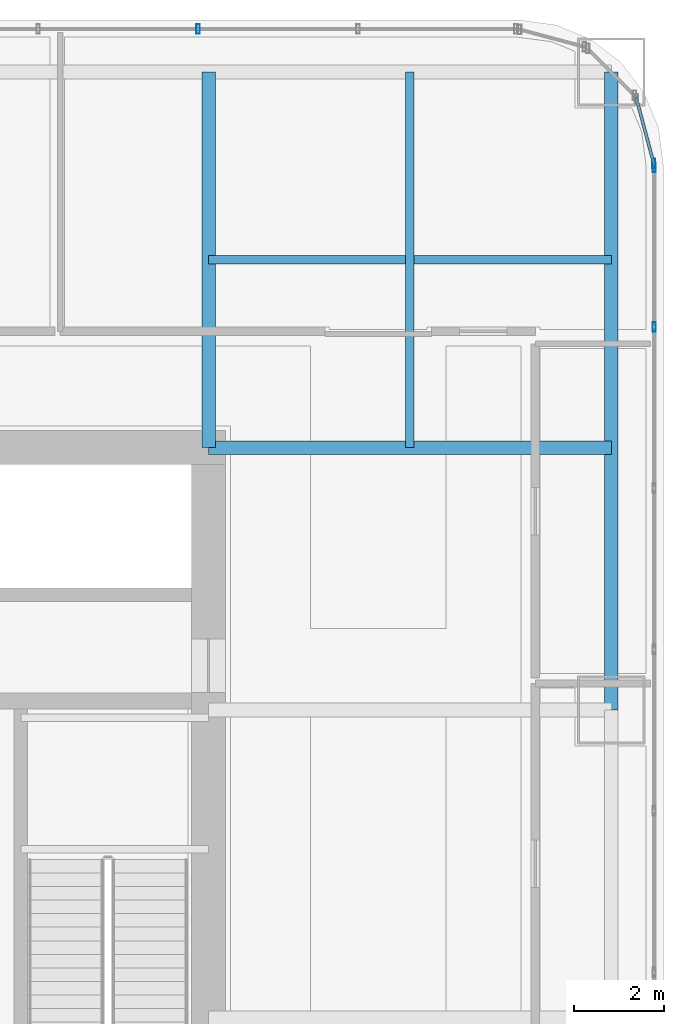
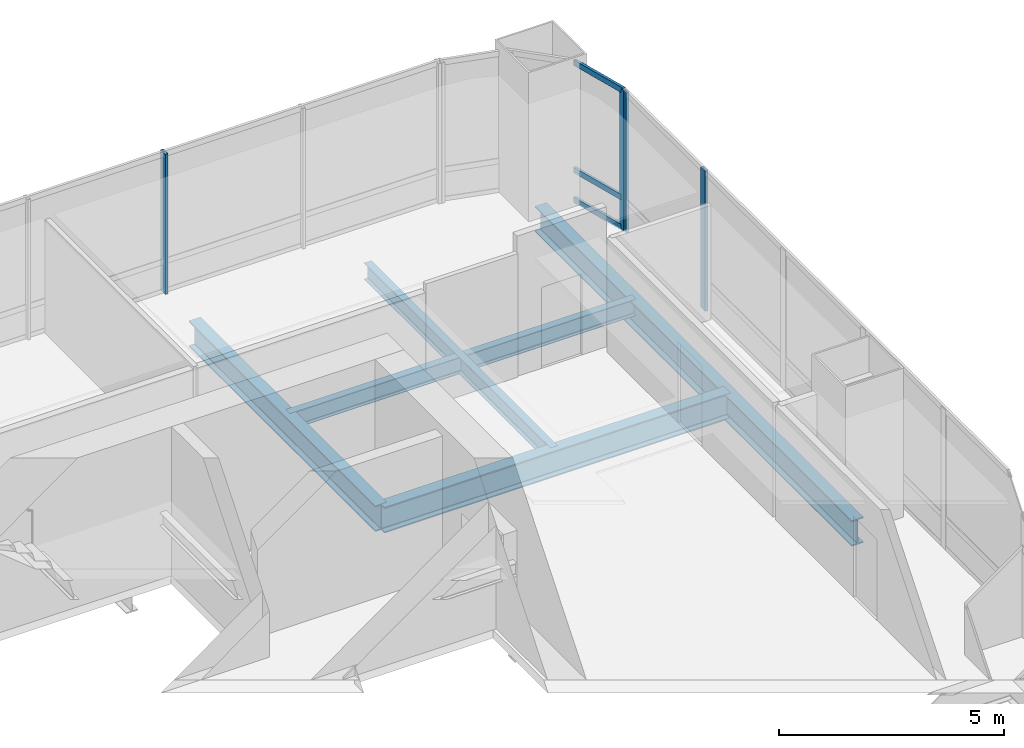
# One storey, part 24 of 36: 7 members, 5 beams, 3 elements without a shape of their own.
"""IFC4 building model written with IfcOpenShell, lengths in metres."""

from ifc_helpers import new_model, si_unit, direction, frame, origin, origin_2d, place, context, subcontext, project, spatial, hollow_rectangle, i_section, extrude, material, material_profile, profile_set, type_object, element, aggregate, save


model = new_model("IFC4")

# Units and contexts
model_context = context("Model", 3, precision=1e-05, world=origin(), true_north=direction((0.0, 1.0)))
body_context = subcontext(model_context, "Body", "Model", "MODEL_VIEW")
ifc_project = project(units=[si_unit("LENGTHUNIT", "METRE"), si_unit("AREAUNIT", "SQUARE_METRE"), si_unit("VOLUMEUNIT", "CUBIC_METRE"), si_unit("PLANEANGLEUNIT", "RADIAN"), si_unit("MASSUNIT", "GRAM", prefix="KILO")], contexts=[model_context])

# Site, building, storey
site_placement = place(None, origin())
site = spatial("IfcSite", under=ifc_project, at=site_placement, CompositionType="ELEMENT")
building_placement = place(site_placement, origin())
building = spatial("IfcBuilding", under=site, at=building_placement, Name="Punatoya Terracotta Tower", CompositionType="ELEMENT")
storey_placement = place(building_placement, frame((0.0, 0.0, 40.35009765625)))
storey = spatial("IfcBuildingStorey", under=building, at=storey_placement, Name="L08", CompositionType="ELEMENT", Elevation=40.35009765625)

# Beams
ifc_material_1 = material(Name="Steel S355", Category="steel")
ifc_material_profile_1 = material_profile(ifc_material_1, i_section(OverallWidth=0.300048828125, OverallDepth=0.699951171875, WebThickness=0.01708984375, FlangeThickness=0.031982421875, FilletRadius=0.01806640625, at=origin_2d()))
ifc_profile_set_1 = profile_set([ifc_material_profile_1], Name="Steel S355")
beam_type_1 = type_object("IfcBeamType", Name="BM-PRI-700", PredefinedType="BEAM", material=ifc_profile_set_1)
beam_1_placement = place(storey_placement, frame((19.10009765625, 3.39990234375, -0.590087890625), z_axis=(0.0, 1.0, 0.0), x_axis=(-1.0, 0.0, 0.0)))
element("IfcBeam", 1, at=beam_1_placement, inside=storey, type_object=beam_type_1, Name="BM-L08-RG-E3", PredefinedType="BEAM", context=body_context, shape_type="SweptSolid", body=[
    extrude(i_section(OverallWidth=0.300048828125, OverallDepth=0.699951171875, WebThickness=0.01708984375, FlangeThickness=0.031982421875, FilletRadius=0.01806640625, at=origin_2d()), origin(), (0.0, 0.0, 1.0), 14.10009765625),
])
beam_2_placement = place(storey_placement, frame((10.199951171875, 9.199951171875, -0.590087890625), z_axis=(1.0, 0.0, 0.0), x_axis=(0.0, 1.0, 0.0)))
element("IfcBeam", 2, at=beam_2_placement, inside=storey, type_object=beam_type_1, Name="BM-L08-PR-EN", PredefinedType="BEAM", context=body_context, shape_type="SweptSolid", body=[
    extrude(i_section(OverallWidth=0.300048828125, OverallDepth=0.699951171875, WebThickness=0.01708984375, FlangeThickness=0.031982421875, FilletRadius=0.01806640625, at=origin_2d()), origin(), (0.0, 0.0, 1.0), 8.900146484375),
])
beam_3_placement = place(storey_placement, frame((10.199951171875, 9.199951171875, -0.590087890625), z_axis=(0.0, 1.0, 0.0), x_axis=(-1.0, 0.0, 0.0)))
element("IfcBeam", 3, at=beam_3_placement, inside=storey, type_object=beam_type_1, Name="BM-L08-PR-N4", PredefinedType="BEAM", context=body_context, shape_type="SweptSolid", body=[
    extrude(i_section(OverallWidth=0.300048828125, OverallDepth=0.699951171875, WebThickness=0.01708984375, FlangeThickness=0.031982421875, FilletRadius=0.01806640625, at=origin_2d()), origin(), (0.0, 0.0, 1.0), 8.300048828125),
])
ifc_material_profile_2 = material_profile(ifc_material_1, i_section(OverallWidth=0.18994140625, OverallDepth=0.449951171875, WebThickness=0.009521484375, FlangeThickness=0.0146484375, FilletRadius=0.01806640625, at=origin_2d()))
ifc_profile_set_2 = profile_set([ifc_material_profile_2], Name="Steel S355")
beam_type_2 = type_object("IfcBeamType", Name="BM-SEC-450", PredefinedType="JOIST", material=ifc_profile_set_2)
beam_4_placement = place(storey_placement, frame((10.199951171875, 13.35009765625, -0.465087890625), z_axis=(1.0, 0.0, 0.0), x_axis=(0.0, 1.0, 0.0)))
element("IfcBeam", 4, at=beam_4_placement, inside=storey, type_object=beam_type_2, Name="BM-L08-SJN-2", PredefinedType="JOIST", context=body_context, shape_type="SweptSolid", body=[
    extrude(i_section(OverallWidth=0.18994140625, OverallDepth=0.449951171875, WebThickness=0.009521484375, FlangeThickness=0.0146484375, FilletRadius=0.01806640625, at=origin_2d()), origin(), (0.0, 0.0, 1.0), 8.900146484375),
])
beam_5_placement = place(storey_placement, frame((14.64990234375, 9.199951171875, -0.465087890625), z_axis=(0.0, 1.0, 0.0), x_axis=(-1.0, 0.0, 0.0)))
element("IfcBeam", 5, at=beam_5_placement, inside=storey, type_object=beam_type_2, Name="BM-L08-SJE-2", PredefinedType="JOIST", context=body_context, shape_type="SweptSolid", body=[
    extrude(i_section(OverallWidth=0.18994140625, OverallDepth=0.449951171875, WebThickness=0.009521484375, FlangeThickness=0.0146484375, FilletRadius=0.01806640625, at=origin_2d()), origin(), (0.0, 0.0, 1.0), 8.300048828125),
])

# Curtain wall, members
ifc_material_2 = material(Name="Aluminium 6063-T6 + Double Low-E Glass", Category="aluminium")
curtain_wall_type = type_object("IfcCurtainWallType", Name="CW-M1", PredefinedType="NOTDEFINED", material=ifc_material_2)
curtain_wall_1_placement = place(storey_placement, origin())
curtain_wall_1 = element("IfcCurtainWall", 6, at=curtain_wall_1_placement, inside=storey, type_object=curtain_wall_type, Name="L08 Curtain Wall CW-L08-E05-1", PredefinedType="NOTDEFINED")
ifc_material_3 = material(Name="Aluminium 6063-T6", Category="aluminium")
ifc_material_profile_3 = material_profile(ifc_material_3, hollow_rectangle(XDim=0.074951171875, YDim=0.2099609375, WallThickness=0.00439453125, at=origin_2d()))
ifc_profile_set_3 = profile_set([ifc_material_profile_3], Name="Aluminium 6063-T6")
member_type_1 = type_object("IfcMemberType", Name="CW-MUL-M1", PredefinedType="MULLION", material=ifc_profile_set_3)
member_1_placement = place(storey_placement, frame((20.050048828125, 11.869384765625, 0.0), z_axis=(0.0, 0.0, 1.0), x_axis=(1.0, 0.0, 0.0)))
member_1 = element("IfcMember", 7, at=member_1_placement, type_object=member_type_1, Name="CW-L08-E05-1 Mullion 09", PredefinedType="MULLION", context=body_context, shape_type="SweptSolid", body=[
    extrude(hollow_rectangle(XDim=0.074951171875, YDim=0.2099609375, WallThickness=0.00439453125, at=origin_2d()), origin(), (0.0, 0.0, 1.0), 3.809814453125),
])
member_2_placement = place(storey_placement, frame((20.050048828125, 15.391845703125, 0.0), z_axis=(0.0, 0.0, 1.0), x_axis=(1.0, 0.0, 0.0)))
member_2 = element("IfcMember", 8, at=member_2_placement, type_object=member_type_1, Name="CW-L08-E05-1 Mullion 10", PredefinedType="MULLION", context=body_context, shape_type="SweptSolid", body=[
    extrude(hollow_rectangle(XDim=0.074951171875, YDim=0.2099609375, WallThickness=0.00439453125, at=origin_2d()), origin(), (0.0, 0.0, 1.0), 3.809814453125),
])
aggregate(curtain_wall_1, [member_1, member_2])

# Curtain wall, member
curtain_wall_2_placement = place(storey_placement, origin())
curtain_wall_2 = element("IfcCurtainWall", 9, at=curtain_wall_2_placement, inside=storey, type_object=curtain_wall_type, Name="L08 Curtain Wall CW-L08-CRN06", PredefinedType="NOTDEFINED")
member_3_placement = place(storey_placement, frame((20.038330078125, 15.48046875, 0.0), z_axis=(0.0, 0.0, 1.0), x_axis=(1.0, 0.0, 0.0)))
member_3 = element("IfcMember", 10, at=member_3_placement, type_object=member_type_1, Name="CW-L08-CRN06 Mullion 00", PredefinedType="MULLION", context=body_context, shape_type="SweptSolid", body=[
    extrude(hollow_rectangle(XDim=0.074951171875, YDim=0.2099609375, WallThickness=0.00439453125, at=origin_2d()), origin(), (0.0, 0.0, 1.0), 3.809814453125),
])

curtain_wall_3_placement = place(storey_placement, origin())
curtain_wall_3 = element("IfcCurtainWall", 11, at=curtain_wall_3_placement, inside=storey, type_object=curtain_wall_type, Name="L08 Curtain Wall CW-L08-N09-1", PredefinedType="NOTDEFINED")
member_4_placement = place(storey_placement, frame((9.968994140625, 18.449951171875, 0.0), z_axis=(0.0, 0.0, 1.0), x_axis=(1.0, 0.0, 0.0)))
member_4 = element("IfcMember", 12, at=member_4_placement, type_object=member_type_1, Name="CW-L08-N09-1 Mullion 02", PredefinedType="MULLION", context=body_context, shape_type="SweptSolid", body=[
    extrude(hollow_rectangle(XDim=0.074951171875, YDim=0.2099609375, WallThickness=0.00439453125, at=origin_2d()), origin(), (0.0, 0.0, 1.0), 3.809814453125),
])
aggregate(curtain_wall_3, [member_4])

# Member
ifc_material_profile_4 = material_profile(ifc_material_3, hollow_rectangle(XDim=0.068115234375, YDim=0.14990234375, WallThickness=0.00390625, at=origin_2d()))
ifc_profile_set_4 = profile_set([ifc_material_profile_4], Name="Aluminium 6063-T6")
member_type_2 = type_object("IfcMemberType", Name="CW-TRN-TYP", PredefinedType="USERDEFINED", material=ifc_profile_set_4)
member_5_placement = place(storey_placement, frame((20.050048828125, 15.43701171875, 0.039794921875), z_axis=(-0.257847112249, 0.966185730957, 0.0), x_axis=(-0.966185730957, -0.257847112249, 0.0)))
member_5 = element("IfcMember", 13, at=member_5_placement, type_object=member_type_2, Name="CW-L08-CRN06 Transom 1", ObjectType="TRANSOM", PredefinedType="USERDEFINED", context=body_context, shape_type="SweptSolid", body=[
    extrude(hollow_rectangle(XDim=0.068115234375, YDim=0.14990234375, WallThickness=0.00390625, at=origin_2d()), origin(), (0.0, 0.0, 1.0), 1.565185546875),
])

member_6_placement = place(storey_placement, frame((20.050048828125, 15.43701171875, 0.849853515625), z_axis=(-0.257847112249, 0.966185730957, 0.0), x_axis=(-0.966185730957, -0.257847112249, 0.0)))
member_6 = element("IfcMember", 14, at=member_6_placement, type_object=member_type_2, Name="CW-L08-CRN06 Transom 2", ObjectType="TRANSOM", PredefinedType="USERDEFINED", context=body_context, shape_type="SweptSolid", body=[
    extrude(hollow_rectangle(XDim=0.068115234375, YDim=0.14990234375, WallThickness=0.00390625, at=origin_2d()), origin(), (0.0, 0.0, 1.0), 1.565185546875),
])

member_7_placement = place(storey_placement, frame((20.050048828125, 15.43701171875, 3.77001953125), z_axis=(-0.257847112249, 0.966185730957, 0.0), x_axis=(-0.966185730957, -0.257847112249, 0.0)))
member_7 = element("IfcMember", 15, at=member_7_placement, type_object=member_type_2, Name="CW-L08-CRN06 Transom 3", ObjectType="TRANSOM", PredefinedType="USERDEFINED", context=body_context, shape_type="SweptSolid", body=[
    extrude(hollow_rectangle(XDim=0.068115234375, YDim=0.14990234375, WallThickness=0.00390625, at=origin_2d()), origin(), (0.0, 0.0, 1.0), 1.565185546875),
])

aggregate(curtain_wall_2, [member_3, member_5, member_6, member_7])

save(model, "model.ifc")
